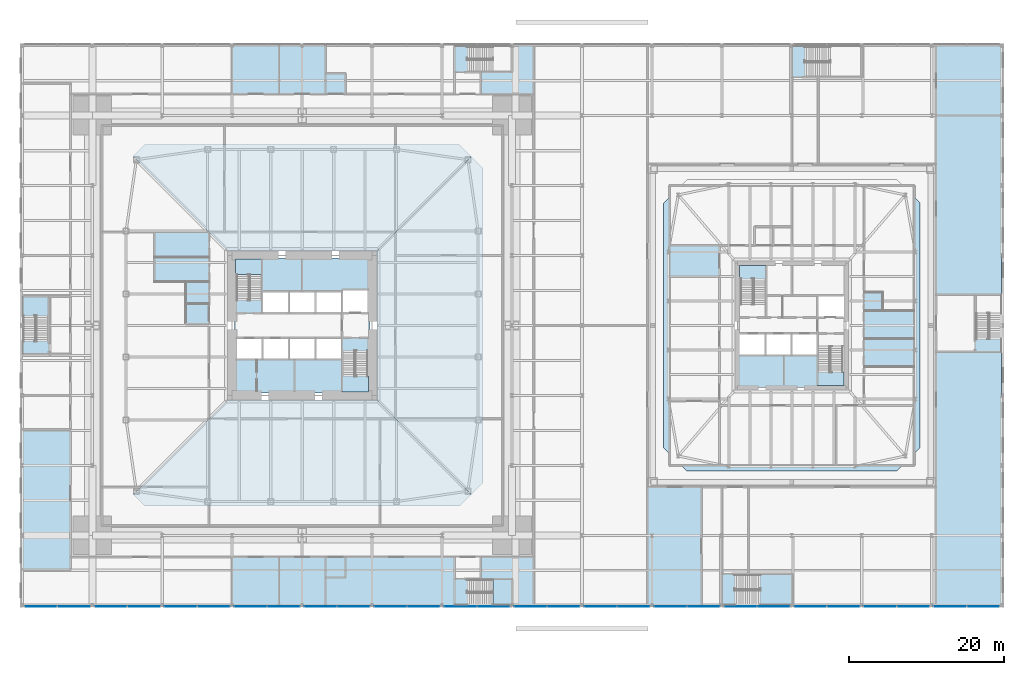
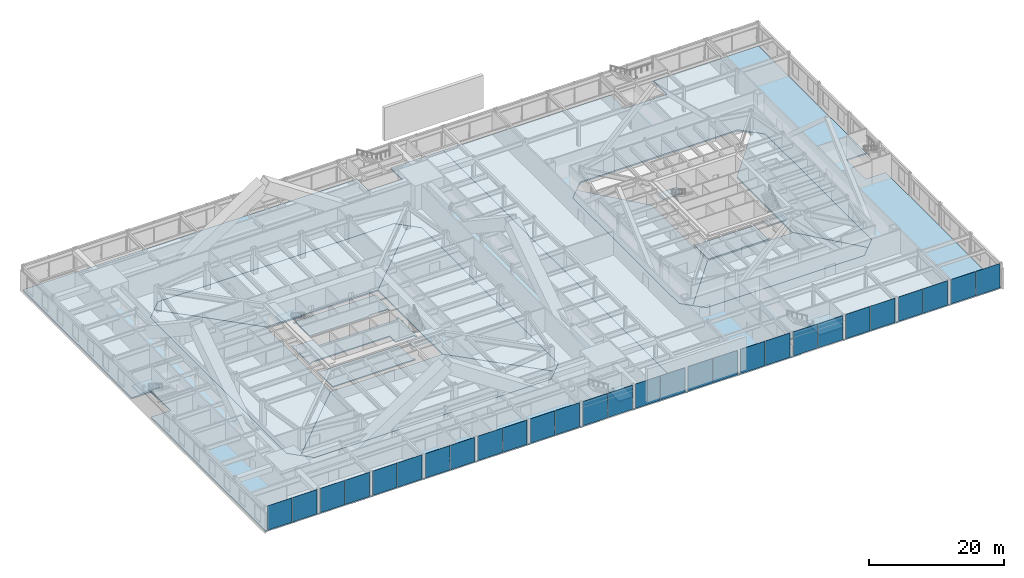
# One storey, part 18 of 32: 28 plates, 20 slabs, 21 elements without a shape of their own.
"""IFC4 building model written with IfcOpenShell, lengths in metres."""

from ifc_helpers import new_model, si_unit, direction, frame, origin, origin_2d, place, context, subcontext, project, spatial, polyline, rectangle, outline, extrude, material, layer, layer_set, constituent, constituent_set, type_object, element, aggregate, save


model = new_model("IFC4")

# Units and contexts
model_context = context("Model", 3, precision=1e-05, world=origin(), true_north=direction((0.0, 1.0)))
body_context = subcontext(model_context, "Body", "Model", "MODEL_VIEW")
ifc_project = project(units=[si_unit("LENGTHUNIT", "METRE"), si_unit("AREAUNIT", "SQUARE_METRE"), si_unit("VOLUMEUNIT", "CUBIC_METRE"), si_unit("PLANEANGLEUNIT", "RADIAN"), si_unit("MASSUNIT", "GRAM", prefix="KILO")], contexts=[model_context])

# Site, building, storey
site_placement = place(None, origin())
site = spatial("IfcSite", under=ifc_project, at=site_placement, CompositionType="ELEMENT")
building_placement = place(site_placement, origin())
building = spatial("IfcBuilding", under=site, at=building_placement, Name="Iwan Alto Co-Living Towers", CompositionType="ELEMENT")
storey_placement = place(building_placement, frame((0.0, 0.0, 6.0)))
storey = spatial("IfcBuildingStorey", under=building, at=storey_placement, Name="L01", CompositionType="ELEMENT", Elevation=6.0)

# Slabs
ifc_material_1 = material(Name="Concrete f'c 30 MPa", Category="concrete")
ifc_layer_1 = layer(ifc_material_1, 0.199951171875)
ifc_layer_set_1 = layer_set([ifc_layer_1], Name="CORE FLOOR SLAB 200")
slab_type_1 = type_object("IfcSlabType", Name="CORE FLOOR SLAB 200", PredefinedType="FLOOR", material=ifc_layer_set_1)
slab_1_placement = place(storey_placement, frame((0.0, 0.0, -0.199951171875)))
element("IfcSlab", 1, at=slab_1_placement, inside=storey, type_object=slab_type_1, Name="T1 core floor L01", PredefinedType="FLOOR", context=body_context, shape_type="SweptSolid", body=[
    extrude(outline(polyline([(8.699951171875, -3.580078125), (8.39990234375, -3.580078125), (8.39990234375, -3.27001953125), (5.14990234375, -3.27001953125), (5.14990234375, -1.60009765625), (1.72509765625, -1.60009765625), (-1.699951171875, -1.60009765625), (-5.125, -1.60009765625), (-8.39990234375, -1.60009765625), (-8.39990234375, -1.909912109375), (-8.699951171875, -1.909912109375), (-8.699951171875, 3.580078125), (-8.39990234375, 3.580078125), (-8.39990234375, 3.27001953125), (-5.14990234375, 3.27001953125), (-5.14990234375, 1.60009765625), (-1.717041015625, 1.60009765625), (1.717041015625, 1.60009765625), (5.14990234375, 1.60009765625), (8.39990234375, 1.60009765625), (8.39990234375, 1.909912109375), (8.699951171875, 1.909912109375), (8.699951171875, -3.580078125)])), origin(), (0.0, 0.0, 1.0), 0.199951171875),
])
slab_2_placement = place(storey_placement, frame((0.0, 0.0, -0.199951171875)))
element("IfcSlab", 2, at=slab_2_placement, inside=storey, type_object=slab_type_1, Name="T1 core floor L01", PredefinedType="FLOOR", context=body_context, shape_type="SweptSolid", body=[
    extrude(outline(polyline([(-1.699951171875, -4.39990234375), (1.72509765625, -4.39990234375), (5.14990234375, -4.39990234375), (5.14990234375, -8.39990234375), (5.4599609375, -8.39990234375), (5.4599609375, -8.699951171875), (-8.699951171875, -8.699951171875), (-8.699951171875, -4.090087890625), (-8.39990234375, -4.090087890625), (-8.39990234375, -4.39990234375), (-5.125, -4.39990234375), (-1.699951171875, -4.39990234375)])), origin(), (0.0, 0.0, 1.0), 0.199951171875),
])
slab_3_placement = place(storey_placement, frame((0.0, 0.0, -0.199951171875)))
element("IfcSlab", 3, at=slab_3_placement, inside=storey, type_object=slab_type_1, Name="T1 core floor L01", PredefinedType="FLOOR", context=body_context, shape_type="SweptSolid", body=[
    extrude(outline(polyline([(1.717041015625, 4.39990234375), (-1.717041015625, 4.39990234375), (-5.14990234375, 4.39990234375), (-5.14990234375, 8.39990234375), (-5.4599609375, 8.39990234375), (-5.4599609375, 8.699951171875), (8.699951171875, 8.699951171875), (8.699951171875, 4.2900390625), (8.39990234375, 4.2900390625), (8.39990234375, 4.60009765625), (5.14990234375, 4.60009765625), (5.14990234375, 4.39990234375), (1.717041015625, 4.39990234375)])), origin(), (0.0, 0.0, 1.0), 0.199951171875),
])
slab_4_placement = place(storey_placement, frame((0.0, 0.0, -0.199951171875)))
element("IfcSlab", 4, at=slab_4_placement, inside=storey, type_object=slab_type_1, Name="T2 core floor L01", PredefinedType="FLOOR", context=body_context, shape_type="SweptSolid", body=[
    extrude(outline(polyline([(62.967041015625, -3.85009765625), (66.300048828125, -3.85009765625), (66.300048828125, -7.699951171875), (66.610107421875, -7.699951171875), (66.610107421875, -8.0), (56.0, -8.0), (56.0, -3.5400390625), (56.300048828125, -3.5400390625), (56.300048828125, -3.85009765625), (59.633056640625, -3.85009765625), (62.967041015625, -3.85009765625)])), origin(), (0.0, 0.0, 1.0), 0.199951171875),
])

# Curtain wall, plates
ifc_material_2 = material(Name="Bronze aluminium stick frame", Category="aluminium")
curtain_wall_type = type_object("IfcCurtainWallType", Name="CURTAIN WALL CW-E", PredefinedType="NOTDEFINED", material=ifc_material_2)
curtain_wall_1_placement = place(storey_placement, origin())
curtain_wall_1 = element("IfcCurtainWall", 5, at=curtain_wall_1_placement, inside=storey, type_object=curtain_wall_type, Name="Podium curtain wall S L01", PredefinedType="NOTDEFINED")
ifc_material_3 = material(Name="Bronze-tinted insulating glass", Category="glass")
ifc_layer_2 = layer(ifc_material_3, 0.031982421875)
ifc_layer_set_2 = layer_set([ifc_layer_2], Name="CW-E PANEL TINTED IGU 32")
plate_type = type_object("IfcPlateType", Name="CW-E PANEL TINTED IGU 32", PredefinedType="CURTAIN_PANEL", material=ifc_layer_set_2)
plate_1_placement = place(storey_placement, frame((-33.627197265625, -36.14990234375, 0.10009765625), z_axis=(0.0, 0.0, 1.0), x_axis=(1.0, 0.0, 0.0)))
plate_1 = element("IfcPlate", 6, at=plate_1_placement, type_object=plate_type, Name="CW-E panel 1.1", PredefinedType="CURTAIN_PANEL", context=body_context, shape_type="SweptSolid", body=[
    extrude(rectangle(XDim=4.17431640625, YDim=0.031982421875, at=origin_2d()), origin(), (0.0, 0.0, 1.0), 4.39990234375),
])
plate_2_placement = place(storey_placement, frame((-29.372802734375, -36.14990234375, 0.10009765625), z_axis=(0.0, 0.0, 1.0), x_axis=(1.0, 0.0, 0.0)))
plate_2 = element("IfcPlate", 7, at=plate_2_placement, type_object=plate_type, Name="CW-E panel 2.1", PredefinedType="CURTAIN_PANEL", context=body_context, shape_type="SweptSolid", body=[
    extrude(rectangle(XDim=4.17431640625, YDim=0.031982421875, at=origin_2d()), origin(), (0.0, 0.0, 1.0), 4.39990234375),
])
aggregate(curtain_wall_1, [plate_1, plate_2])

curtain_wall_2_placement = place(storey_placement, origin())
curtain_wall_2 = element("IfcCurtainWall", 8, at=curtain_wall_2_placement, inside=storey, type_object=curtain_wall_type, Name="Podium curtain wall S L01", PredefinedType="NOTDEFINED")
plate_3_placement = place(storey_placement, frame((-24.627197265625, -36.14990234375, 0.10009765625), z_axis=(0.0, 0.0, 1.0), x_axis=(1.0, 0.0, 0.0)))
plate_3 = element("IfcPlate", 9, at=plate_3_placement, type_object=plate_type, Name="CW-E panel 1.1", PredefinedType="CURTAIN_PANEL", context=body_context, shape_type="SweptSolid", body=[
    extrude(rectangle(XDim=4.17431640625, YDim=0.031982421875, at=origin_2d()), origin(), (0.0, 0.0, 1.0), 4.39990234375),
])
plate_4_placement = place(storey_placement, frame((-20.372802734375, -36.14990234375, 0.10009765625), z_axis=(0.0, 0.0, 1.0), x_axis=(1.0, 0.0, 0.0)))
plate_4 = element("IfcPlate", 10, at=plate_4_placement, type_object=plate_type, Name="CW-E panel 2.1", PredefinedType="CURTAIN_PANEL", context=body_context, shape_type="SweptSolid", body=[
    extrude(rectangle(XDim=4.17431640625, YDim=0.031982421875, at=origin_2d()), origin(), (0.0, 0.0, 1.0), 4.39990234375),
])
aggregate(curtain_wall_2, [plate_3, plate_4])

curtain_wall_3_placement = place(storey_placement, origin())
curtain_wall_3 = element("IfcCurtainWall", 11, at=curtain_wall_3_placement, inside=storey, type_object=curtain_wall_type, Name="Podium curtain wall S L01", PredefinedType="NOTDEFINED")
plate_5_placement = place(storey_placement, frame((-15.627197265625, -36.14990234375, 0.10009765625), z_axis=(0.0, 0.0, 1.0), x_axis=(1.0, 0.0, 0.0)))
plate_5 = element("IfcPlate", 12, at=plate_5_placement, type_object=plate_type, Name="CW-E panel 1.1", PredefinedType="CURTAIN_PANEL", context=body_context, shape_type="SweptSolid", body=[
    extrude(rectangle(XDim=4.17431640625, YDim=0.031982421875, at=origin_2d()), origin(), (0.0, 0.0, 1.0), 4.39990234375),
])
plate_6_placement = place(storey_placement, frame((-11.372802734375, -36.14990234375, 0.10009765625), z_axis=(0.0, 0.0, 1.0), x_axis=(1.0, 0.0, 0.0)))
plate_6 = element("IfcPlate", 13, at=plate_6_placement, type_object=plate_type, Name="CW-E panel 2.1", PredefinedType="CURTAIN_PANEL", context=body_context, shape_type="SweptSolid", body=[
    extrude(rectangle(XDim=4.17431640625, YDim=0.031982421875, at=origin_2d()), origin(), (0.0, 0.0, 1.0), 4.39990234375),
])
aggregate(curtain_wall_3, [plate_5, plate_6])

curtain_wall_4_placement = place(storey_placement, origin())
curtain_wall_4 = element("IfcCurtainWall", 14, at=curtain_wall_4_placement, inside=storey, type_object=curtain_wall_type, Name="Podium curtain wall S L01", PredefinedType="NOTDEFINED")
plate_7_placement = place(storey_placement, frame((-6.627197265625, -36.14990234375, 0.10009765625), z_axis=(0.0, 0.0, 1.0), x_axis=(1.0, 0.0, 0.0)))
plate_7 = element("IfcPlate", 15, at=plate_7_placement, type_object=plate_type, Name="CW-E panel 1.1", PredefinedType="CURTAIN_PANEL", context=body_context, shape_type="SweptSolid", body=[
    extrude(rectangle(XDim=4.17431640625, YDim=0.031982421875, at=origin_2d()), origin(), (0.0, 0.0, 1.0), 4.39990234375),
])
plate_8_placement = place(storey_placement, frame((-2.372802734375, -36.14990234375, 0.10009765625), z_axis=(0.0, 0.0, 1.0), x_axis=(1.0, 0.0, 0.0)))
plate_8 = element("IfcPlate", 16, at=plate_8_placement, type_object=plate_type, Name="CW-E panel 2.1", PredefinedType="CURTAIN_PANEL", context=body_context, shape_type="SweptSolid", body=[
    extrude(rectangle(XDim=4.17431640625, YDim=0.031982421875, at=origin_2d()), origin(), (0.0, 0.0, 1.0), 4.39990234375),
])
aggregate(curtain_wall_4, [plate_7, plate_8])

curtain_wall_5_placement = place(storey_placement, origin())
curtain_wall_5 = element("IfcCurtainWall", 17, at=curtain_wall_5_placement, inside=storey, type_object=curtain_wall_type, Name="Podium curtain wall S L01", PredefinedType="NOTDEFINED")
plate_9_placement = place(storey_placement, frame((2.372802734375, -36.14990234375, 0.10009765625), z_axis=(0.0, 0.0, 1.0), x_axis=(1.0, 0.0, 0.0)))
plate_9 = element("IfcPlate", 18, at=plate_9_placement, type_object=plate_type, Name="CW-E panel 1.1", PredefinedType="CURTAIN_PANEL", context=body_context, shape_type="SweptSolid", body=[
    extrude(rectangle(XDim=4.17431640625, YDim=0.031982421875, at=origin_2d()), origin(), (0.0, 0.0, 1.0), 4.39990234375),
])
plate_10_placement = place(storey_placement, frame((6.627197265625, -36.14990234375, 0.10009765625), z_axis=(0.0, 0.0, 1.0), x_axis=(1.0, 0.0, 0.0)))
plate_10 = element("IfcPlate", 19, at=plate_10_placement, type_object=plate_type, Name="CW-E panel 2.1", PredefinedType="CURTAIN_PANEL", context=body_context, shape_type="SweptSolid", body=[
    extrude(rectangle(XDim=4.17431640625, YDim=0.031982421875, at=origin_2d()), origin(), (0.0, 0.0, 1.0), 4.39990234375),
])
aggregate(curtain_wall_5, [plate_9, plate_10])

curtain_wall_6_placement = place(storey_placement, origin())
curtain_wall_6 = element("IfcCurtainWall", 20, at=curtain_wall_6_placement, inside=storey, type_object=curtain_wall_type, Name="Podium curtain wall S L01", PredefinedType="NOTDEFINED")
plate_11_placement = place(storey_placement, frame((11.372802734375, -36.14990234375, 0.10009765625), z_axis=(0.0, 0.0, 1.0), x_axis=(1.0, 0.0, 0.0)))
plate_11 = element("IfcPlate", 21, at=plate_11_placement, type_object=plate_type, Name="CW-E panel 1.1", PredefinedType="CURTAIN_PANEL", context=body_context, shape_type="SweptSolid", body=[
    extrude(rectangle(XDim=4.17431640625, YDim=0.031982421875, at=origin_2d()), origin(), (0.0, 0.0, 1.0), 4.39990234375),
])
plate_12_placement = place(storey_placement, frame((15.627197265625, -36.14990234375, 0.10009765625), z_axis=(0.0, 0.0, 1.0), x_axis=(1.0, 0.0, 0.0)))
plate_12 = element("IfcPlate", 22, at=plate_12_placement, type_object=plate_type, Name="CW-E panel 2.1", PredefinedType="CURTAIN_PANEL", context=body_context, shape_type="SweptSolid", body=[
    extrude(rectangle(XDim=4.17431640625, YDim=0.031982421875, at=origin_2d()), origin(), (0.0, 0.0, 1.0), 4.39990234375),
])
aggregate(curtain_wall_6, [plate_11, plate_12])

curtain_wall_7_placement = place(storey_placement, origin())
curtain_wall_7 = element("IfcCurtainWall", 23, at=curtain_wall_7_placement, inside=storey, type_object=curtain_wall_type, Name="Podium curtain wall S L01", PredefinedType="NOTDEFINED")
plate_13_placement = place(storey_placement, frame((20.372802734375, -36.14990234375, 0.10009765625), z_axis=(0.0, 0.0, 1.0), x_axis=(1.0, 0.0, 0.0)))
plate_13 = element("IfcPlate", 24, at=plate_13_placement, type_object=plate_type, Name="CW-E panel 1.1", PredefinedType="CURTAIN_PANEL", context=body_context, shape_type="SweptSolid", body=[
    extrude(rectangle(XDim=4.17431640625, YDim=0.031982421875, at=origin_2d()), origin(), (0.0, 0.0, 1.0), 4.39990234375),
])
plate_14_placement = place(storey_placement, frame((24.627197265625, -36.14990234375, 0.10009765625), z_axis=(0.0, 0.0, 1.0), x_axis=(1.0, 0.0, 0.0)))
plate_14 = element("IfcPlate", 25, at=plate_14_placement, type_object=plate_type, Name="CW-E panel 2.1", PredefinedType="CURTAIN_PANEL", context=body_context, shape_type="SweptSolid", body=[
    extrude(rectangle(XDim=4.17431640625, YDim=0.031982421875, at=origin_2d()), origin(), (0.0, 0.0, 1.0), 4.39990234375),
])
aggregate(curtain_wall_7, [plate_13, plate_14])

curtain_wall_8_placement = place(storey_placement, origin())
curtain_wall_8 = element("IfcCurtainWall", 26, at=curtain_wall_8_placement, inside=storey, type_object=curtain_wall_type, Name="Podium curtain wall S L01", PredefinedType="NOTDEFINED")
plate_15_placement = place(storey_placement, frame((29.372802734375, -36.14990234375, 0.10009765625), z_axis=(0.0, 0.0, 1.0), x_axis=(1.0, 0.0, 0.0)))
plate_15 = element("IfcPlate", 27, at=plate_15_placement, type_object=plate_type, Name="CW-E panel 1.1", PredefinedType="CURTAIN_PANEL", context=body_context, shape_type="SweptSolid", body=[
    extrude(rectangle(XDim=4.17431640625, YDim=0.031982421875, at=origin_2d()), origin(), (0.0, 0.0, 1.0), 4.39990234375),
])
plate_16_placement = place(storey_placement, frame((33.627197265625, -36.14990234375, 0.10009765625), z_axis=(0.0, 0.0, 1.0), x_axis=(1.0, 0.0, 0.0)))
plate_16 = element("IfcPlate", 28, at=plate_16_placement, type_object=plate_type, Name="CW-E panel 2.1", PredefinedType="CURTAIN_PANEL", context=body_context, shape_type="SweptSolid", body=[
    extrude(rectangle(XDim=4.17431640625, YDim=0.031982421875, at=origin_2d()), origin(), (0.0, 0.0, 1.0), 4.39990234375),
])
aggregate(curtain_wall_8, [plate_15, plate_16])

curtain_wall_9_placement = place(storey_placement, origin())
curtain_wall_9 = element("IfcCurtainWall", 29, at=curtain_wall_9_placement, inside=storey, type_object=curtain_wall_type, Name="Podium curtain wall S L01", PredefinedType="NOTDEFINED")
plate_17_placement = place(storey_placement, frame((38.372802734375, -36.14990234375, 0.10009765625), z_axis=(0.0, 0.0, 1.0), x_axis=(1.0, 0.0, 0.0)))
plate_17 = element("IfcPlate", 30, at=plate_17_placement, type_object=plate_type, Name="CW-E panel 1.1", PredefinedType="CURTAIN_PANEL", context=body_context, shape_type="SweptSolid", body=[
    extrude(rectangle(XDim=4.17431640625, YDim=0.031982421875, at=origin_2d()), origin(), (0.0, 0.0, 1.0), 4.39990234375),
])
plate_18_placement = place(storey_placement, frame((42.627197265625, -36.14990234375, 0.10009765625), z_axis=(0.0, 0.0, 1.0), x_axis=(1.0, 0.0, 0.0)))
plate_18 = element("IfcPlate", 31, at=plate_18_placement, type_object=plate_type, Name="CW-E panel 2.1", PredefinedType="CURTAIN_PANEL", context=body_context, shape_type="SweptSolid", body=[
    extrude(rectangle(XDim=4.17431640625, YDim=0.031982421875, at=origin_2d()), origin(), (0.0, 0.0, 1.0), 4.39990234375),
])
aggregate(curtain_wall_9, [plate_17, plate_18])

curtain_wall_10_placement = place(storey_placement, origin())
curtain_wall_10 = element("IfcCurtainWall", 32, at=curtain_wall_10_placement, inside=storey, type_object=curtain_wall_type, Name="Podium curtain wall S L01", PredefinedType="NOTDEFINED")
plate_19_placement = place(storey_placement, frame((47.372802734375, -36.14990234375, 0.10009765625), z_axis=(0.0, 0.0, 1.0), x_axis=(1.0, 0.0, 0.0)))
plate_19 = element("IfcPlate", 33, at=plate_19_placement, type_object=plate_type, Name="CW-E panel 1.1", PredefinedType="CURTAIN_PANEL", context=body_context, shape_type="SweptSolid", body=[
    extrude(rectangle(XDim=4.17431640625, YDim=0.031982421875, at=origin_2d()), origin(), (0.0, 0.0, 1.0), 4.39990234375),
])
plate_20_placement = place(storey_placement, frame((51.627197265625, -36.14990234375, 0.10009765625), z_axis=(0.0, 0.0, 1.0), x_axis=(1.0, 0.0, 0.0)))
plate_20 = element("IfcPlate", 34, at=plate_20_placement, type_object=plate_type, Name="CW-E panel 2.1", PredefinedType="CURTAIN_PANEL", context=body_context, shape_type="SweptSolid", body=[
    extrude(rectangle(XDim=4.17431640625, YDim=0.031982421875, at=origin_2d()), origin(), (0.0, 0.0, 1.0), 4.39990234375),
])
aggregate(curtain_wall_10, [plate_19, plate_20])

curtain_wall_11_placement = place(storey_placement, origin())
curtain_wall_11 = element("IfcCurtainWall", 35, at=curtain_wall_11_placement, inside=storey, type_object=curtain_wall_type, Name="Podium curtain wall S L01", PredefinedType="NOTDEFINED")
plate_21_placement = place(storey_placement, frame((56.372802734375, -36.14990234375, 0.10009765625), z_axis=(0.0, 0.0, 1.0), x_axis=(1.0, 0.0, 0.0)))
plate_21 = element("IfcPlate", 36, at=plate_21_placement, type_object=plate_type, Name="CW-E panel 1.1", PredefinedType="CURTAIN_PANEL", context=body_context, shape_type="SweptSolid", body=[
    extrude(rectangle(XDim=4.17431640625, YDim=0.031982421875, at=origin_2d()), origin(), (0.0, 0.0, 1.0), 4.39990234375),
])
plate_22_placement = place(storey_placement, frame((60.627197265625, -36.14990234375, 0.10009765625), z_axis=(0.0, 0.0, 1.0), x_axis=(1.0, 0.0, 0.0)))
plate_22 = element("IfcPlate", 37, at=plate_22_placement, type_object=plate_type, Name="CW-E panel 2.1", PredefinedType="CURTAIN_PANEL", context=body_context, shape_type="SweptSolid", body=[
    extrude(rectangle(XDim=4.17431640625, YDim=0.031982421875, at=origin_2d()), origin(), (0.0, 0.0, 1.0), 4.39990234375),
])
aggregate(curtain_wall_11, [plate_21, plate_22])

curtain_wall_12_placement = place(storey_placement, origin())
curtain_wall_12 = element("IfcCurtainWall", 38, at=curtain_wall_12_placement, inside=storey, type_object=curtain_wall_type, Name="Podium curtain wall S L01", PredefinedType="NOTDEFINED")
plate_23_placement = place(storey_placement, frame((65.372802734375, -36.14990234375, 0.10009765625), z_axis=(0.0, 0.0, 1.0), x_axis=(1.0, 0.0, 0.0)))
plate_23 = element("IfcPlate", 39, at=plate_23_placement, type_object=plate_type, Name="CW-E panel 1.1", PredefinedType="CURTAIN_PANEL", context=body_context, shape_type="SweptSolid", body=[
    extrude(rectangle(XDim=4.17431640625, YDim=0.031982421875, at=origin_2d()), origin(), (0.0, 0.0, 1.0), 4.39990234375),
])
plate_24_placement = place(storey_placement, frame((69.627197265625, -36.14990234375, 0.10009765625), z_axis=(0.0, 0.0, 1.0), x_axis=(1.0, 0.0, 0.0)))
plate_24 = element("IfcPlate", 40, at=plate_24_placement, type_object=plate_type, Name="CW-E panel 2.1", PredefinedType="CURTAIN_PANEL", context=body_context, shape_type="SweptSolid", body=[
    extrude(rectangle(XDim=4.17431640625, YDim=0.031982421875, at=origin_2d()), origin(), (0.0, 0.0, 1.0), 4.39990234375),
])
aggregate(curtain_wall_12, [plate_23, plate_24])

curtain_wall_13_placement = place(storey_placement, origin())
curtain_wall_13 = element("IfcCurtainWall", 41, at=curtain_wall_13_placement, inside=storey, type_object=curtain_wall_type, Name="Podium curtain wall S L01", PredefinedType="NOTDEFINED")
plate_25_placement = place(storey_placement, frame((74.372802734375, -36.14990234375, 0.10009765625), z_axis=(0.0, 0.0, 1.0), x_axis=(1.0, 0.0, 0.0)))
plate_25 = element("IfcPlate", 42, at=plate_25_placement, type_object=plate_type, Name="CW-E panel 1.1", PredefinedType="CURTAIN_PANEL", context=body_context, shape_type="SweptSolid", body=[
    extrude(rectangle(XDim=4.17431640625, YDim=0.031982421875, at=origin_2d()), origin(), (0.0, 0.0, 1.0), 4.39990234375),
])
plate_26_placement = place(storey_placement, frame((78.627197265625, -36.14990234375, 0.10009765625), z_axis=(0.0, 0.0, 1.0), x_axis=(1.0, 0.0, 0.0)))
plate_26 = element("IfcPlate", 43, at=plate_26_placement, type_object=plate_type, Name="CW-E panel 2.1", PredefinedType="CURTAIN_PANEL", context=body_context, shape_type="SweptSolid", body=[
    extrude(rectangle(XDim=4.17431640625, YDim=0.031982421875, at=origin_2d()), origin(), (0.0, 0.0, 1.0), 4.39990234375),
])
aggregate(curtain_wall_13, [plate_25, plate_26])

curtain_wall_14_placement = place(storey_placement, origin())
curtain_wall_14 = element("IfcCurtainWall", 44, at=curtain_wall_14_placement, inside=storey, type_object=curtain_wall_type, Name="Podium curtain wall S L01", PredefinedType="NOTDEFINED")
plate_27_placement = place(storey_placement, frame((83.372802734375, -36.14990234375, 0.10009765625), z_axis=(0.0, 0.0, 1.0), x_axis=(1.0, 0.0, 0.0)))
plate_27 = element("IfcPlate", 45, at=plate_27_placement, type_object=plate_type, Name="CW-E panel 1.1", PredefinedType="CURTAIN_PANEL", context=body_context, shape_type="SweptSolid", body=[
    extrude(rectangle(XDim=4.17431640625, YDim=0.031982421875, at=origin_2d()), origin(), (0.0, 0.0, 1.0), 4.39990234375),
])
plate_28_placement = place(storey_placement, frame((87.627197265625, -36.14990234375, 0.10009765625), z_axis=(0.0, 0.0, 1.0), x_axis=(1.0, 0.0, 0.0)))
plate_28 = element("IfcPlate", 46, at=plate_28_placement, type_object=plate_type, Name="CW-E panel 2.1", PredefinedType="CURTAIN_PANEL", context=body_context, shape_type="SweptSolid", body=[
    extrude(rectangle(XDim=4.17431640625, YDim=0.031982421875, at=origin_2d()), origin(), (0.0, 0.0, 1.0), 4.39990234375),
])
aggregate(curtain_wall_14, [plate_27, plate_28])

# Slabs
ifc_material_4 = material(Name="Concrete f'c 30 MPa", Category="concrete")
ifc_layer_3 = layer(ifc_material_4, 0.25)
ifc_layer_set_3 = layer_set([ifc_layer_3], Name="PODIUM FLOOR SLAB 250")
slab_type_2 = type_object("IfcSlabType", Name="PODIUM FLOOR SLAB 250", PredefinedType="FLOOR", material=ifc_layer_set_3)
slab_5_placement = place(storey_placement, frame((0.0, 0.0, -0.25)))
element("IfcSlab", 47, at=slab_5_placement, inside=storey, type_object=slab_type_2, Name="Podium floor slab L01 T1 S pour", PredefinedType="FLOOR", context=body_context, shape_type="SweptSolid", body=[
    extrude(outline(polyline([(20.25, -23.25), (-20.25, -23.25), (-21.75, -21.75), (-9.60009765625, -9.60009765625), (9.60009765625, -9.60009765625), (21.75, -21.75), (20.25, -23.25)])), origin(), (0.0, 0.0, 1.0), 0.25),
])
slab_6_placement = place(storey_placement, frame((0.0, 0.0, -0.25)))
element("IfcSlab", 48, at=slab_6_placement, inside=storey, type_object=slab_type_2, Name="Podium floor slab L01 T1 E pour", PredefinedType="FLOOR", context=body_context, shape_type="SweptSolid", body=[
    extrude(outline(polyline([(23.25, 20.25), (23.25, -20.25), (21.75, -21.75), (9.60009765625, -9.60009765625), (9.60009765625, 9.60009765625), (21.75, 21.75), (23.25, 20.25)])), origin(), (0.0, 0.0, 1.0), 0.25),
])
slab_7_placement = place(storey_placement, frame((0.0, 0.0, -0.25)))
element("IfcSlab", 49, at=slab_7_placement, inside=storey, type_object=slab_type_2, Name="Podium floor slab L01 T1 N pour", PredefinedType="FLOOR", context=body_context, shape_type="SweptSolid", body=[
    extrude(outline(polyline([(-20.25, 23.25), (20.25, 23.25), (21.75, 21.75), (9.60009765625, 9.60009765625), (-9.60009765625, 9.60009765625), (-21.75, 21.75), (-20.25, 23.25)])), origin(), (0.0, 0.0, 1.0), 0.25),
])
slab_8_placement = place(storey_placement, frame((0.0, 0.0, -0.25)))
element("IfcSlab", 50, at=slab_8_placement, inside=storey, type_object=slab_type_2, Name="Podium floor slab L01 T1 W pour", PredefinedType="FLOOR", context=body_context, shape_type="SweptSolid", body=[
    extrude(outline(polyline([(-23.25, 20.25), (-21.75, 21.75), (-9.60009765625, 9.60009765625), (-9.60009765625, -9.60009765625), (-21.75, -21.75), (-23.25, -20.25), (-23.25, 20.25)])), origin(), (0.0, 0.0, 1.0), 0.25),
])
slab_9_placement = place(storey_placement, frame((0.0, 0.0, -0.25)))
element("IfcSlab", 51, at=slab_9_placement, inside=storey, type_object=slab_type_2, Name="Podium floor slab L01 T2 S pour", PredefinedType="FLOOR", context=body_context, shape_type="SweptSolid", body=[
    extrude(outline(polyline([(76.5, -18.75), (49.5, -18.75), (48.00244140625, -17.25244140625), (55.699951171875, -8.300048828125), (70.300048828125, -8.300048828125), (77.99755859375, -17.25244140625), (76.5, -18.75)])), origin(), (0.0, 0.0, 1.0), 0.25),
])
slab_10_placement = place(storey_placement, frame((0.0, 0.0, -0.25)))
element("IfcSlab", 52, at=slab_10_placement, inside=storey, type_object=slab_type_2, Name="Podium floor slab L01 T2 E pour", PredefinedType="FLOOR", context=body_context, shape_type="SweptSolid", body=[
    extrude(outline(polyline([(79.5, 15.75), (79.5, -15.75), (77.99755859375, -17.25244140625), (70.300048828125, -8.300048828125), (70.300048828125, 8.300048828125), (77.99755859375, 17.25244140625), (79.5, 15.75)])), origin(), (0.0, 0.0, 1.0), 0.25),
])
slab_11_placement = place(storey_placement, frame((0.0, 0.0, -0.25)))
element("IfcSlab", 53, at=slab_11_placement, inside=storey, type_object=slab_type_2, Name="Podium floor slab L01 T2 W pour", PredefinedType="FLOOR", context=body_context, shape_type="SweptSolid", body=[
    extrude(outline(polyline([(46.5, 15.75), (48.00244140625, 17.25244140625), (55.699951171875, 8.300048828125), (55.699951171875, -8.300048828125), (48.00244140625, -17.25244140625), (46.5, -15.75), (46.5, 15.75)])), origin(), (0.0, 0.0, 1.0), 0.25),
])
slab_12_placement = place(storey_placement, frame((0.0, 0.0, -0.25)))
element("IfcSlab", 54, at=slab_12_placement, inside=storey, type_object=slab_type_2, Name="Podium floor slab L01 T1 side pour", PredefinedType="FLOOR", context=body_context, shape_type="SweptSolid", body=[
    extrude(outline(polyline([(-36.0, 3.699951171875), (-36.0, 36.0), (21.27001953125, 36.0), (21.27001953125, 32.60009765625), (27.0, 32.60009765625), (27.0, 36.0), (36.0, 36.0), (36.0, -36.0), (27.0, -36.0), (27.0, -32.60009765625), (21.27001953125, -32.60009765625), (21.27001953125, -36.0), (-36.0, -36.0), (-36.0, -2.030029296875), (-32.60009765625, -2.030029296875), (-32.60009765625, 3.699951171875), (-36.0, 3.699951171875)]), holes=[polyline([(20.25, -23.25), (23.25, -20.25), (23.25, 20.25), (20.25, 23.25), (-20.25, 23.25), (-23.25, 20.25), (-23.25, -20.25), (-20.25, -23.25), (20.25, -23.25)])]), origin(), (0.0, 0.0, 1.0), 0.25),
])
slab_13_placement = place(storey_placement, frame((0.0, 0.0, -0.25)))
element("IfcSlab", 55, at=slab_13_placement, inside=storey, type_object=slab_type_2, Name="Podium floor slab L01 T2 side pour", PredefinedType="FLOOR", context=body_context, shape_type="SweptSolid", body=[
    extrude(outline(polyline([(64.669921875, 36.0), (64.669921875, 31.9599609375), (72.0, 31.9599609375), (72.0, 36.0), (90.0, 36.0), (90.0, 4.0), (86.60009765625, 4.0), (86.60009765625, -1.72998046875), (90.0, -1.72998046875), (90.0, -36.0), (63.0, -36.0), (63.0, -31.9599609375), (55.669921875, -31.9599609375), (55.669921875, -36.0), (36.0, -36.0), (36.0, 36.0), (64.669921875, 36.0)]), holes=[polyline([(76.5, -18.75), (79.5, -15.75), (79.5, 15.75), (76.5, 18.75), (49.5, 18.75), (46.5, 15.75), (46.5, -15.75), (49.5, -18.75), (76.5, -18.75)])]), origin(), (0.0, 0.0, 1.0), 0.25),
])

# Stair, slab
ifc_material_5 = material(Name="Steel ASTM A36", Category="steel")
ifc_constituent_1 = constituent(ifc_material_5, Name="Stringers", Category="LoadBearing")
ifc_material_6 = material(Name="Concrete f'c 30 MPa", Category="concrete")
ifc_constituent_2 = constituent(ifc_material_6, Name="Tread fill", Category="Finish")
ifc_constituent_set_1 = constituent_set(constituents=[ifc_constituent_1, ifc_constituent_2], Name="STAIR 4500 TWO-FLIGHT PODIUM")
stair_type_1 = type_object("IfcStairType", Name="STAIR 4500 TWO-FLIGHT PODIUM", PredefinedType="HALF_TURN_STAIR", material=ifc_constituent_set_1)
stair_1_placement = place(storey_placement, origin())
stair_1 = element("IfcStair", 56, at=stair_1_placement, inside=storey, type_object=stair_type_1, Name="Stair PS1 L01 to L02", PredefinedType="HALF_TURN_STAIR")
ifc_material_7 = material(Name="Concrete f'c 30 MPa", Category="concrete")
ifc_layer_4 = layer(ifc_material_7, 0.199951171875)
ifc_layer_set_4 = layer_set([ifc_layer_4], Name="STAIR LANDING 200")
slab_type_3 = type_object("IfcSlabType", Name="STAIR LANDING 200", PredefinedType="LANDING", material=ifc_layer_set_4)
slab_14_placement = place(storey_placement, frame((0.0, 0.0, 2.050048828125)))
slab_14 = element("IfcSlab", 57, at=slab_14_placement, type_object=slab_type_3, Name="PS1 landing 1", PredefinedType="LANDING", context=body_context, shape_type="SweptSolid", body=[
    extrude(outline(polyline([(-36.0, 1.22998046875), (-36.0, 3.699951171875), (-32.60009765625, 3.699951171875), (-32.60009765625, 1.22998046875), (-36.0, 1.22998046875)])), origin(), (0.0, 0.0, 1.0), 0.199951171875),
])
aggregate(stair_1, [slab_14])

stair_2_placement = place(storey_placement, origin())
stair_2 = element("IfcStair", 58, at=stair_2_placement, inside=storey, type_object=stair_type_1, Name="Stair PS4 L01 to L02", PredefinedType="HALF_TURN_STAIR")
slab_15_placement = place(storey_placement, frame((0.0, 0.0, 2.050048828125)))
slab_15 = element("IfcSlab", 59, at=slab_15_placement, type_object=slab_type_3, Name="PS4 landing 1", PredefinedType="LANDING", context=body_context, shape_type="SweptSolid", body=[
    extrude(outline(polyline([(24.530029296875, -36.0), (27.0, -36.0), (27.0, -32.60009765625), (24.530029296875, -32.60009765625), (24.530029296875, -36.0)])), origin(), (0.0, 0.0, 1.0), 0.199951171875),
])
aggregate(stair_2, [slab_15])

ifc_constituent_3 = constituent(ifc_material_5, Name="Stringers", Category="LoadBearing")
ifc_constituent_4 = constituent(ifc_material_6, Name="Tread fill", Category="Finish")
ifc_constituent_set_2 = constituent_set(constituents=[ifc_constituent_3, ifc_constituent_4], Name="STAIR 4500 TWO-FLIGHT PODIUM 1800 WIDE")
stair_type_2 = type_object("IfcStairType", Name="STAIR 4500 TWO-FLIGHT PODIUM 1800 WIDE", PredefinedType="HALF_TURN_STAIR", material=ifc_constituent_set_2)
stair_3_placement = place(storey_placement, origin())
stair_3 = element("IfcStair", 60, at=stair_3_placement, inside=storey, type_object=stair_type_2, Name="Stair PS6 L01 to L02", PredefinedType="HALF_TURN_STAIR")
slab_16_placement = place(storey_placement, frame((0.0, 0.0, 2.050048828125)))
slab_16 = element("IfcSlab", 61, at=slab_16_placement, type_object=slab_type_3, Name="PS6 landing 1", PredefinedType="LANDING", context=body_context, shape_type="SweptSolid", body=[
    extrude(outline(polyline([(58.929931640625, -36.0), (63.0, -36.0), (63.0, -31.9599609375), (58.929931640625, -31.9599609375), (58.929931640625, -36.0)])), origin(), (0.0, 0.0, 1.0), 0.199951171875),
])
aggregate(stair_3, [slab_16])

ifc_constituent_5 = constituent(ifc_material_5, Name="Stringers", Category="LoadBearing")
ifc_constituent_6 = constituent(ifc_material_6, Name="Tread fill", Category="Finish")
ifc_constituent_set_3 = constituent_set(constituents=[ifc_constituent_5, ifc_constituent_6], Name="STAIR 4500 TWO-FLIGHT T1 CORE")
stair_type_3 = type_object("IfcStairType", Name="STAIR 4500 TWO-FLIGHT T1 CORE", PredefinedType="HALF_TURN_STAIR", material=ifc_constituent_set_3)
stair_4_placement = place(storey_placement, origin())
stair_4 = element("IfcStair", 62, at=stair_4_placement, inside=storey, type_object=stair_type_3, Name="Stair T1-S1 L01 to L02", PredefinedType="HALF_TURN_STAIR")
slab_17_placement = place(storey_placement, frame((0.0, 0.0, 2.050048828125)))
slab_17 = element("IfcSlab", 63, at=slab_17_placement, type_object=slab_type_3, Name="T1-S1 landing 1", PredefinedType="LANDING", context=body_context, shape_type="SweptSolid", body=[
    extrude(outline(polyline([(-8.550048828125, 6.530029296875), (-8.550048828125, 8.550048828125), (-5.14990234375, 8.550048828125), (-5.14990234375, 6.530029296875), (-8.550048828125, 6.530029296875)])), origin(), (0.0, 0.0, 1.0), 0.199951171875),
])
aggregate(stair_4, [slab_17])

stair_5_placement = place(storey_placement, origin())
stair_5 = element("IfcStair", 64, at=stair_5_placement, inside=storey, type_object=stair_type_3, Name="Stair T1-S2 L01 to L02", PredefinedType="HALF_TURN_STAIR")
slab_18_placement = place(storey_placement, frame((0.0, 0.0, 2.050048828125)))
slab_18 = element("IfcSlab", 65, at=slab_18_placement, type_object=slab_type_3, Name="T1-S2 landing 1", PredefinedType="LANDING", context=body_context, shape_type="SweptSolid", body=[
    extrude(outline(polyline([(5.14990234375, -6.530029296875), (5.14990234375, -8.550048828125), (8.550048828125, -8.550048828125), (8.550048828125, -6.530029296875), (5.14990234375, -6.530029296875)])), origin(), (0.0, 0.0, 1.0), 0.199951171875),
])
aggregate(stair_5, [slab_18])

ifc_constituent_7 = constituent(ifc_material_5, Name="Stringers", Category="LoadBearing")
ifc_constituent_8 = constituent(ifc_material_6, Name="Tread fill", Category="Finish")
ifc_constituent_set_4 = constituent_set(constituents=[ifc_constituent_7, ifc_constituent_8], Name="STAIR 4500 TWO-FLIGHT T2 CORE")
stair_type_4 = type_object("IfcStairType", Name="STAIR 4500 TWO-FLIGHT T2 CORE", PredefinedType="HALF_TURN_STAIR", material=ifc_constituent_set_4)
stair_6_placement = place(storey_placement, origin())
stair_6 = element("IfcStair", 66, at=stair_6_placement, inside=storey, type_object=stair_type_4, Name="Stair T2-S1 L01 to L02", PredefinedType="HALF_TURN_STAIR")
slab_19_placement = place(storey_placement, frame((0.0, 0.0, 2.050048828125)))
slab_19 = element("IfcSlab", 67, at=slab_19_placement, type_object=slab_type_3, Name="T2-S1 landing 1", PredefinedType="LANDING", context=body_context, shape_type="SweptSolid", body=[
    extrude(outline(polyline([(56.300048828125, 5.97998046875), (56.300048828125, 7.699951171875), (59.699951171875, 7.699951171875), (59.699951171875, 5.97998046875), (56.300048828125, 5.97998046875)])), origin(), (0.0, 0.0, 1.0), 0.199951171875),
])
aggregate(stair_6, [slab_19])

stair_7_placement = place(storey_placement, origin())
stair_7 = element("IfcStair", 68, at=stair_7_placement, inside=storey, type_object=stair_type_4, Name="Stair T2-S2 L01 to L02", PredefinedType="HALF_TURN_STAIR")
slab_20_placement = place(storey_placement, frame((0.0, 0.0, 2.050048828125)))
slab_20 = element("IfcSlab", 69, at=slab_20_placement, type_object=slab_type_3, Name="T2-S2 landing 1", PredefinedType="LANDING", context=body_context, shape_type="SweptSolid", body=[
    extrude(outline(polyline([(66.300048828125, -5.97998046875), (66.300048828125, -7.699951171875), (69.699951171875, -7.699951171875), (69.699951171875, -5.97998046875), (66.300048828125, -5.97998046875)])), origin(), (0.0, 0.0, 1.0), 0.199951171875),
])
aggregate(stair_7, [slab_20])

save(model, "model.ifc")
